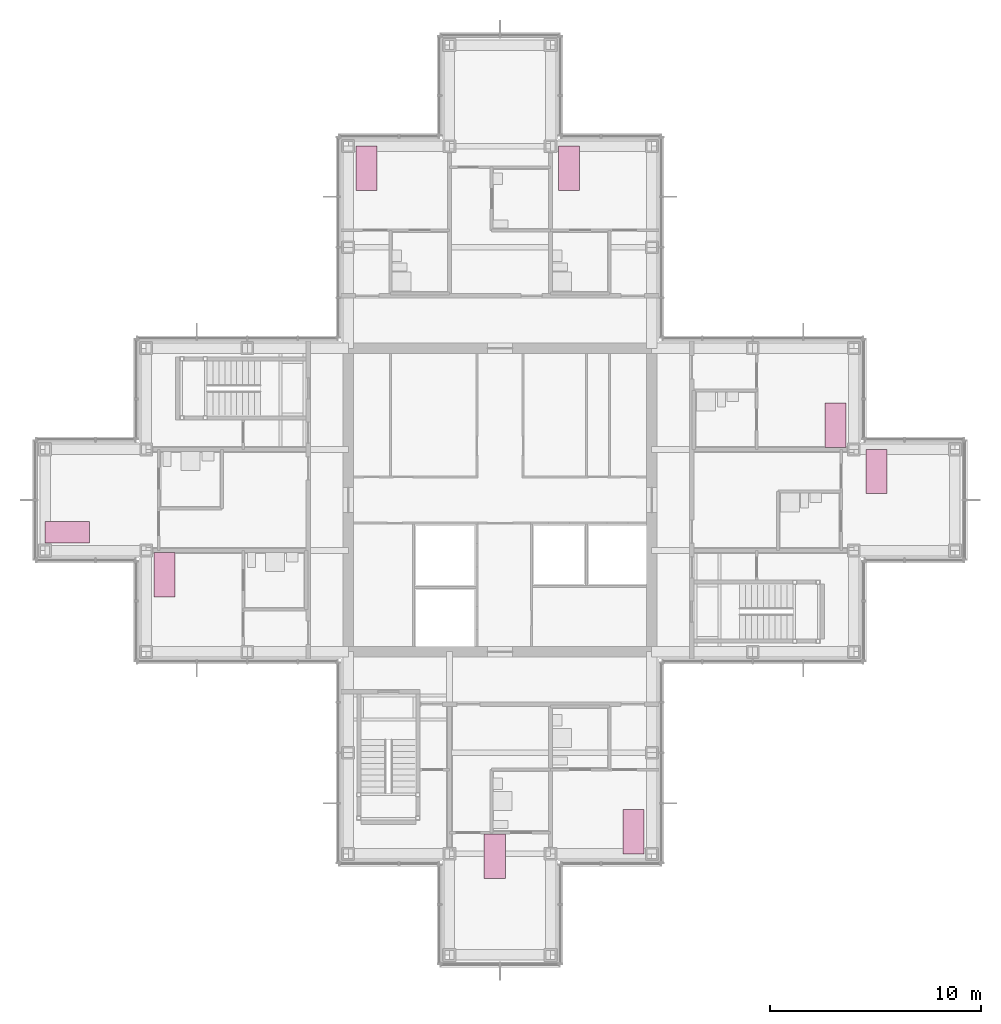
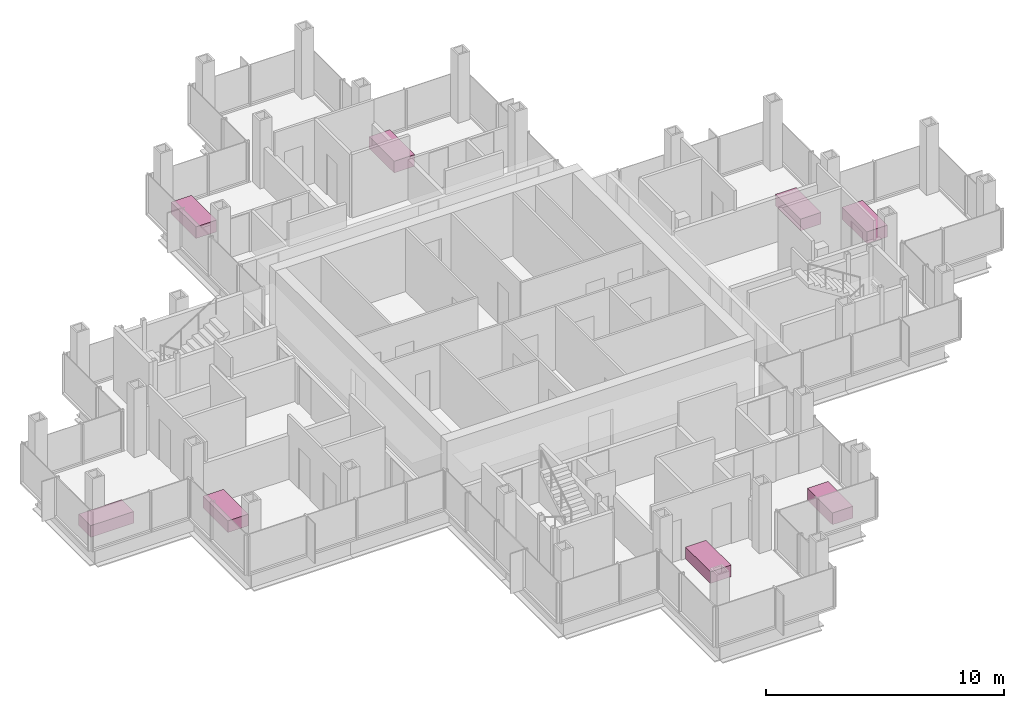
# One storey, part 17 of 17: 8 furniture elements.
"""IFC4 building model written with IfcOpenShell, lengths in metres."""

from ifc_helpers import new_model, si_unit, direction, frame, origin, origin_2d, place, context, subcontext, project, spatial, rectangle, extrude, material, type_object, element, save


model = new_model("IFC4")

# Units and contexts
model_context = context("Model", 3, precision=1e-05, world=origin(), true_north=direction((0.0, 1.0)))
body_context = subcontext(model_context, "Body", "Model", "MODEL_VIEW")
ifc_project = project(units=[si_unit("LENGTHUNIT", "METRE"), si_unit("AREAUNIT", "SQUARE_METRE"), si_unit("VOLUMEUNIT", "CUBIC_METRE"), si_unit("PLANEANGLEUNIT", "RADIAN"), si_unit("MASSUNIT", "GRAM", prefix="KILO")], contexts=[model_context])

# Site, building, storey
site_placement = place(None, origin())
site = spatial("IfcSite", under=ifc_project, at=site_placement, CompositionType="ELEMENT")
building_placement = place(site_placement, origin())
building = spatial("IfcBuilding", under=site, at=building_placement, Name="Kvirike Care Tower", CompositionType="ELEMENT")
storey_placement = place(building_placement, frame((0.0, 0.0, 186.5)))
storey = spatial("IfcBuildingStorey", under=building, at=storey_placement, Name="L51", CompositionType="ELEMENT", Elevation=186.5)

# Furniture
ifc_material = material(Name="Steel frame", Category="steel")
furniture_type = type_object("IfcFurnitureType", Name="CARE BED 1000 x 2100", AssemblyPlace="FACTORY", PredefinedType="BED", material=ifc_material)
for number, where, z_axis, x_axis, name in (
    (1, (1.052001953125, 34.469970703125, 0.0), (0.0, 0.0, 1.0), (0.0, 1.0, 0.0), "Care bed L51-005"),
    (2, (5.669921875, 32.447998046875, 0.0), (0.0, 0.0, 1.0), (1.0, 0.0, 0.0), "Care bed L51-008"),
    (3, (21.35009765625, 19.087890625, 0.0), (0.0, 0.0, 1.0), (1.0, 0.0, 0.0), "Care bed L51-015"),
    (4, (27.929931640625, 20.251953125, 0.0), (0.0, 0.0, 1.0), (-1.0, 0.0, 0.0), "Care bed L51-018"),
    (5, (24.8701171875, 51.748046875, 0.0), (0.0, 0.0, 1.0), (1.0, 0.0, 0.0), "Care bed L51-022"),
    (6, (15.27001953125, 51.748046875, 0.0), (0.0, 0.0, 1.0), (1.0, 0.0, 0.0), "Care bed L51-028"),
    (7, (39.469970703125, 37.347900390625, 0.0), (0.0, 0.0, 1.0), (1.0, 0.0, 0.0), "Care bed L51-035"),
    (8, (37.530029296875, 39.552001953125, 0.0), (0.0, 0.0, 1.0), (-1.0, 0.0, 0.0), "Care bed L51-038"),
):
    element("IfcFurniture", number, at=place(storey_placement, frame(where, z_axis=z_axis, x_axis=x_axis)), inside=storey, type_object=furniture_type, Name=name, PredefinedType="BED", context=body_context, shape_type="SweptSolid", body=[
        extrude(rectangle(XDim=1.0, YDim=2.10009765625, at=origin_2d()), origin(), (0.0, 0.0, 1.0), 0.60009765625),
    ])

save(model, "model.ifc")
